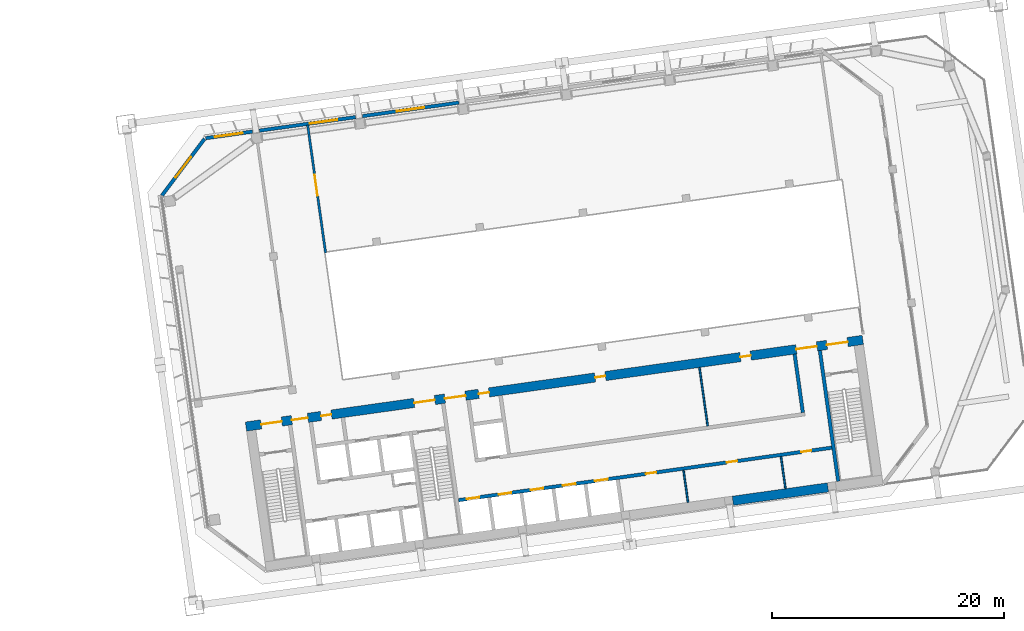
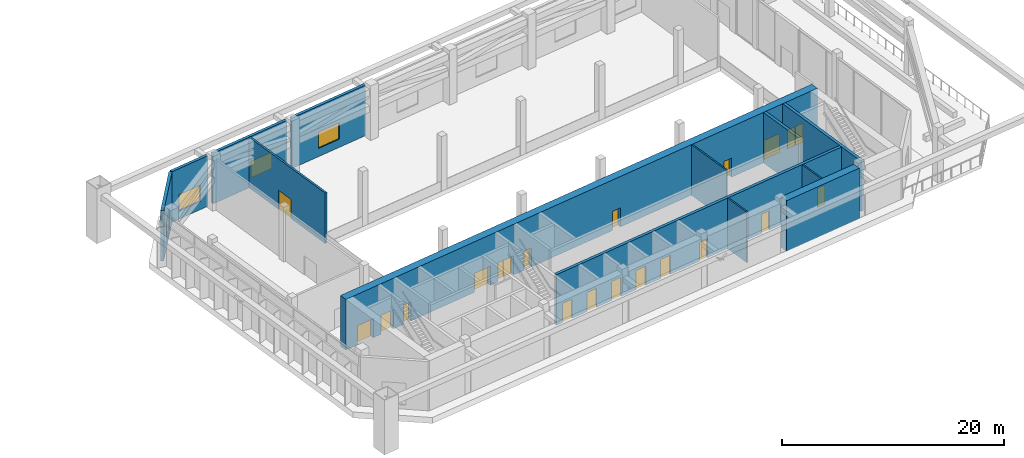
# One storey, part 24 of 41: 19 doors, 13 walls, 4 windows, 23 openings.
"""IFC4 building model written with IfcOpenShell, lengths in metres."""

from ifc_helpers import new_model, si_unit, direction, frame, frame_2d, origin, place, context, subcontext, project, spatial, rectangle, extrude, material, layer, layer_set, type_object, element, fill, save


model = new_model("IFC4")

# Units and contexts
model_context = context("Model", 3, precision=1e-05, world=origin(), true_north=direction((0.0, 1.0)))
body_context = subcontext(model_context, "Body", "Model", "MODEL_VIEW")
ifc_project = project(units=[si_unit("LENGTHUNIT", "METRE"), si_unit("AREAUNIT", "SQUARE_METRE"), si_unit("VOLUMEUNIT", "CUBIC_METRE"), si_unit("PLANEANGLEUNIT", "RADIAN"), si_unit("MASSUNIT", "GRAM", prefix="KILO")], contexts=[model_context])

# Site, building, storey
site_placement = place(None, origin())
site = spatial("IfcSite", under=ifc_project, at=site_placement, CompositionType="ELEMENT")
building_placement = place(site_placement, origin())
building = spatial("IfcBuilding", under=site, at=building_placement, Name="Mirante Cascada Hotel Towers", CompositionType="ELEMENT")
storey_placement = place(building_placement, frame((0.0, 0.0, 92.7)))
storey = spatial("IfcBuildingStorey", under=building, at=storey_placement, Name="L20", CompositionType="ELEMENT", Elevation=92.7)

# Walls
ifc_material_1 = material(Name="Masonry block", Category="masonry")
ifc_layer_1 = layer(ifc_material_1, 0.15)
ifc_layer_set_1 = layer_set([ifc_layer_1], Name="Core room partition 150 block EI 30")
wall_type_1 = type_object("IfcWallType", Name="Core room partition 150 block EI 30", PredefinedType="PARTITIONING", material=ifc_layer_set_1)
wall_1_placement = place(storey_placement, frame((73.6152, -14.1482, 0.0), z_axis=(0.0, 0.0, 1.0), x_axis=(-0.139176, 0.9902677, 0.0)))
element("IfcWall", 1, at=wall_1_placement, inside=storey, type_object=wall_type_1, Name="Core wall partition T2 L20 4", PredefinedType="PARTITIONING", context=body_context, shape_type="SweptSolid", body=[
    extrude(rectangle(XDim=2.8001, YDim=0.15, at=frame_2d((1.4, 0.0))), origin(), (0.0, 0.0, 1.0), 5.55),
])
wall_2_placement = place(storey_placement, frame((82.0324, -12.9652, 0.0), z_axis=(0.0, 0.0, 1.0), x_axis=(-0.139141, 0.9902726, 0.0)))
element("IfcWall", 2, at=wall_2_placement, inside=storey, type_object=wall_type_1, Name="Core wall partition T2 L20 5", PredefinedType="PARTITIONING", context=body_context, shape_type="SweptSolid", body=[
    extrude(rectangle(XDim=2.8, YDim=0.15, at=frame_2d((1.4, 0.0))), origin(), (0.0, 0.0, 1.0), 5.55),
])
wall_3_placement = place(storey_placement, frame((75.3131, -7.5476, 0.0), z_axis=(0.0, 0.0, 1.0), x_axis=(-0.1391782, 0.9902673, 0.0)))
element("IfcWall", 3, at=wall_3_placement, inside=storey, type_object=wall_type_1, Name="Core wall partition T2 L20 6", PredefinedType="PARTITIONING", context=body_context, shape_type="SweptSolid", body=[
    extrude(rectangle(XDim=5.0999, YDim=0.15, at=frame_2d((2.55, 0.0))), origin(), (0.0, 0.0, 1.0), 5.55),
])

# Wall, opening, window
ifc_material_2 = material(Name="Precast concrete C40/50", Category="concrete")
ifc_layer_2 = layer(ifc_material_2, 0.3)
ifc_layer_set_2 = layer_set([ifc_layer_2], Name="Precast concrete C40/50 cladding wall 300")
wall_type_2 = type_object("IfcWallType", Name="Precast concrete C40/50 cladding wall 300", PredefinedType="STANDARD", material=ifc_layer_set_2)
wall_4_placement = place(storey_placement, frame((31.9558, 17.3101, 0.0), z_axis=(0.0, 0.0, 1.0), x_axis=(0.9902659, 0.1391883, 0.0)))
wall_4 = element("IfcWall", 4, at=wall_4_placement, inside=storey, type_object=wall_type_2, Name="Cladding pier wall T2 L20 front 1", PredefinedType="STANDARD", context=body_context, shape_type="SweptSolid", body=[
    extrude(rectangle(XDim=4.0758, YDim=0.3, at=frame_2d((2.0379, 0.0))), origin(), (0.0, 0.0, 1.0), 5.55),
])
opening_1_placement = place(wall_4_placement, frame((0.8068, 0.0, 0.9)))
opening_1 = element("IfcOpeningElement", 5, at=opening_1_placement, cuts=wall_4, Name="Opening W2-20-01", PredefinedType="OPENING", context=body_context, shape_type="SweptSolid", body=[
    extrude(rectangle(XDim=2.4, YDim=1.8, at=frame_2d((1.2, 0.9))), frame((0.0, 0.15, 0.0), z_axis=(0.0, -1.0, 0.0), x_axis=(1.0, 0.0, 0.0)), (0.0, 0.0, 1.0), 0.3),
])
ifc_material_3 = material(Name="Aluminium frame with clear double glazing", Category="aluminium")
window_type_1 = type_object("IfcWindowType", Name="Punched window 2400x1800", PartitioningType="DOUBLE_PANEL_VERTICAL", PredefinedType="WINDOW", material=ifc_material_3)
window_1_placement = place(opening_1_placement, origin())
window_1 = element("IfcWindow", 6, at=window_1_placement, inside=storey, type_object=window_type_1, Name="Window W2-20-01", OverallHeight=1.8, OverallWidth=2.4, PartitioningType="SINGLE_PANEL", PredefinedType="WINDOW", context=body_context, shape_type="SweptSolid", body=[
    extrude(rectangle(XDim=2.4, YDim=1.8, at=frame_2d((1.2, 0.9))), frame((0.0, 0.03, 0.0), z_axis=(0.0, -1.0, 0.0), x_axis=(1.0, 0.0, 0.0)), (0.0, 0.0, 1.0), 0.06),
])
fill(opening_1, window_1)

wall_5_placement = place(storey_placement, frame((36.5861, 17.9609, 0.0), z_axis=(0.0, 0.0, 1.0), x_axis=(0.9902688, 0.1391676, 0.0)))
wall_5 = element("IfcWall", 7, at=wall_5_placement, inside=storey, type_object=wall_type_2, Name="Cladding pier wall T2 L20 front 2", PredefinedType="STANDARD", context=body_context, shape_type="SweptSolid", body=[
    extrude(rectangle(XDim=8.3999, YDim=0.3, at=frame_2d((4.2, 0.0))), origin(), (0.0, 0.0, 1.0), 5.55),
])
opening_2_placement = place(wall_5_placement, frame((4.4, 0.0, 0.9)))
opening_2 = element("IfcOpeningElement", 8, at=opening_2_placement, cuts=wall_5, Name="Opening W2-20-02", PredefinedType="OPENING", context=body_context, shape_type="SweptSolid", body=[
    extrude(rectangle(XDim=2.4, YDim=1.8, at=frame_2d((1.2, 0.9))), frame((0.0, 0.15, 0.0), z_axis=(0.0, -1.0, 0.0), x_axis=(1.0, 0.0, 0.0)), (0.0, 0.0, 1.0), 0.3),
])
window_2_placement = place(opening_2_placement, origin())
window_2 = element("IfcWindow", 9, at=window_2_placement, inside=storey, type_object=window_type_1, Name="Window W2-20-02", OverallHeight=1.8, OverallWidth=2.4, PartitioningType="SINGLE_PANEL", PredefinedType="WINDOW", context=body_context, shape_type="SweptSolid", body=[
    extrude(rectangle(XDim=2.4, YDim=1.8, at=frame_2d((1.2, 0.9))), frame((0.0, 0.03, 0.0), z_axis=(0.0, -1.0, 0.0), x_axis=(1.0, 0.0, 0.0)), (0.0, 0.0, 1.0), 0.06),
])
fill(opening_2, window_2)

wall_6_placement = place(storey_placement, frame((45.4985, 19.2134, 0.0), z_axis=(0.0, 0.0, 1.0), x_axis=(0.9902672, 0.1391793, 0.0)))
wall_6 = element("IfcWall", 10, at=wall_6_placement, inside=storey, type_object=wall_type_2, Name="Cladding pier wall T2 L20 front 3", PredefinedType="STANDARD", context=body_context, shape_type="SweptSolid", body=[
    extrude(rectangle(XDim=8.4, YDim=0.3, at=frame_2d((4.2, 0.0))), origin(), (0.0, 0.0, 1.0), 5.55),
])
opening_3_placement = place(wall_6_placement, frame((3.0, 0.0, 0.9)))
opening_3 = element("IfcOpeningElement", 11, at=opening_3_placement, cuts=wall_6, Name="Opening W2-20-03", PredefinedType="OPENING", context=body_context, shape_type="SweptSolid", body=[
    extrude(rectangle(XDim=2.4, YDim=1.8, at=frame_2d((1.2, 0.9))), frame((0.0, 0.15, 0.0), z_axis=(0.0, -1.0, 0.0), x_axis=(1.0, 0.0, 0.0)), (0.0, 0.0, 1.0), 0.3),
])
window_3_placement = place(opening_3_placement, origin())
window_3 = element("IfcWindow", 12, at=window_3_placement, inside=storey, type_object=window_type_1, Name="Window W2-20-03", OverallHeight=1.8, OverallWidth=2.4, PartitioningType="SINGLE_PANEL", PredefinedType="WINDOW", context=body_context, shape_type="SweptSolid", body=[
    extrude(rectangle(XDim=2.4, YDim=1.8, at=frame_2d((1.2, 0.9))), frame((0.0, 0.03, 0.0), z_axis=(0.0, -1.0, 0.0), x_axis=(1.0, 0.0, 0.0)), (0.0, 0.0, 1.0), 0.06),
])
fill(opening_3, window_3)

wall_7_placement = place(storey_placement, frame((31.8569, 17.2519, 0.0), z_axis=(0.0, 0.0, 1.0), x_axis=(-0.6018115, -0.7986381, 0.0)))
wall_7 = element("IfcWall", 13, at=wall_7_placement, inside=storey, type_object=wall_type_2, Name="Corner cladding wall T2 L20 front inner", PredefinedType="STANDARD", context=body_context, shape_type="SweptSolid", body=[
    extrude(rectangle(XDim=6.1155, YDim=0.3, at=frame_2d((3.0578, 0.0))), origin(), (0.0, 0.0, 1.0), 5.55),
])
opening_4_placement = place(wall_7_placement, frame((1.9577, 0.0, 0.6)))
opening_4 = element("IfcOpeningElement", 14, at=opening_4_placement, cuts=wall_7, Name="Opening W2-20-10", PredefinedType="OPENING", context=body_context, shape_type="SweptSolid", body=[
    extrude(rectangle(XDim=2.2, YDim=2.4, at=frame_2d((1.1, 1.2))), frame((0.0, 0.15, 0.0), z_axis=(0.0, -1.0, 0.0), x_axis=(1.0, 0.0, 0.0)), (0.0, 0.0, 1.0), 0.3),
])
ifc_material_4 = material(Name="Aluminium frame with clear double glazing", Category="aluminium")
window_type_2 = type_object("IfcWindowType", Name="Corner suite window 2200x2400", PartitioningType="DOUBLE_PANEL_VERTICAL", PredefinedType="WINDOW", material=ifc_material_4)
window_4_placement = place(opening_4_placement, origin())
window_4 = element("IfcWindow", 15, at=window_4_placement, inside=storey, type_object=window_type_2, Name="Window W2-20-10", OverallHeight=2.4, OverallWidth=2.2, PartitioningType="SINGLE_PANEL", PredefinedType="WINDOW", context=body_context, shape_type="SweptSolid", body=[
    extrude(rectangle(XDim=2.2, YDim=2.4, at=frame_2d((1.1, 1.2))), frame((0.0, 0.03, 0.0), z_axis=(0.0, -1.0, 0.0), x_axis=(1.0, 0.0, 0.0)), (0.0, 0.0, 1.0), 0.06),
])
fill(opening_4, window_4)

# Wall
ifc_material_5 = material(Name="Concrete C50/60", Category="concrete")
ifc_layer_3 = layer(ifc_material_5, 0.3)
ifc_layer_set_3 = layer_set([ifc_layer_3], Name="RC core wall 300 C50/60")
wall_type_3 = type_object("IfcWallType", Name="RC core wall 300 C50/60", PredefinedType="SHEAR", material=ifc_layer_set_3)
wall_8_placement = place(storey_placement, frame((86.5877, -12.325, 0.0), z_axis=(0.0, 0.0, 1.0), x_axis=(-0.1391749, 0.9902678, 0.0)))
element("IfcWall", 16, at=wall_8_placement, inside=storey, type_object=wall_type_3, Name="Core wall T2:L20:8", PredefinedType="SHEAR", context=body_context, shape_type="SweptSolid", body=[
    extrude(rectangle(XDim=11.4, YDim=0.3, at=frame_2d((5.7, 0.0))), origin(), (0.0, 0.0, 1.0), 5.55),
])

# Wall, openings, doors
wall_9_placement = place(storey_placement, frame((53.7953, -13.9547, 0.0), z_axis=(0.0, 0.0, 1.0), x_axis=(0.990268, 0.1391733, 0.0)))
wall_9 = element("IfcWall", 17, at=wall_9_placement, inside=storey, type_object=wall_type_3, Name="Core wall T2:L20:24", PredefinedType="SHEAR", context=body_context, shape_type="SweptSolid", body=[
    extrude(rectangle(XDim=32.5501, YDim=0.3, at=frame_2d((16.275, 0.0))), origin(), (0.0, 0.0, 1.0), 5.55),
])
opening_5_placement = place(wall_9_placement, frame((0.7, 0.0, 0.0)))
opening_5 = element("IfcOpeningElement", 18, at=opening_5_placement, cuts=wall_9, Name="Opening LD", PredefinedType="OPENING", context=body_context, shape_type="SweptSolid", body=[
    extrude(rectangle(XDim=1.1, YDim=2.1, at=frame_2d((0.55, 1.05))), frame((0.0, 0.15, 0.0), z_axis=(0.0, -1.0, 0.0), x_axis=(1.0, 0.0, 0.0)), (0.0, 0.0, 1.0), 0.3),
])
opening_6_placement = place(wall_9_placement, frame((3.5, 0.0, 0.0)))
opening_6 = element("IfcOpeningElement", 19, at=opening_6_placement, cuts=wall_9, Name="Opening LD", PredefinedType="OPENING", context=body_context, shape_type="SweptSolid", body=[
    extrude(rectangle(XDim=1.1, YDim=2.1, at=frame_2d((0.55, 1.05))), frame((0.0, 0.15, 0.0), z_axis=(0.0, -1.0, 0.0), x_axis=(1.0, 0.0, 0.0)), (0.0, 0.0, 1.0), 0.3),
])
opening_7_placement = place(wall_9_placement, frame((6.3, 0.0, 0.0)))
opening_7 = element("IfcOpeningElement", 20, at=opening_7_placement, cuts=wall_9, Name="Opening LD", PredefinedType="OPENING", context=body_context, shape_type="SweptSolid", body=[
    extrude(rectangle(XDim=1.1, YDim=2.1, at=frame_2d((0.55, 1.05))), frame((0.0, 0.15, 0.0), z_axis=(0.0, -1.0, 0.0), x_axis=(1.0, 0.0, 0.0)), (0.0, 0.0, 1.0), 0.3),
])
opening_8_placement = place(wall_9_placement, frame((9.1, 0.0, 0.0)))
opening_8 = element("IfcOpeningElement", 21, at=opening_8_placement, cuts=wall_9, Name="Opening LD", PredefinedType="OPENING", context=body_context, shape_type="SweptSolid", body=[
    extrude(rectangle(XDim=1.1, YDim=2.1, at=frame_2d((0.55, 1.05))), frame((0.0, 0.15, 0.0), z_axis=(0.0, -1.0, 0.0), x_axis=(1.0, 0.0, 0.0)), (0.0, 0.0, 1.0), 0.3),
])
opening_9_placement = place(wall_9_placement, frame((11.9, 0.0, 0.0)))
opening_9 = element("IfcOpeningElement", 22, at=opening_9_placement, cuts=wall_9, Name="Opening LD", PredefinedType="OPENING", context=body_context, shape_type="SweptSolid", body=[
    extrude(rectangle(XDim=1.1, YDim=2.1, at=frame_2d((0.55, 1.05))), frame((0.0, 0.15, 0.0), z_axis=(0.0, -1.0, 0.0), x_axis=(1.0, 0.0, 0.0)), (0.0, 0.0, 1.0), 0.3),
])
opening_10_placement = place(wall_9_placement, frame((16.35, 0.0, 0.0)))
opening_10 = element("IfcOpeningElement", 23, at=opening_10_placement, cuts=wall_9, Name="Opening D2-20-C25", PredefinedType="OPENING", context=body_context, shape_type="SweptSolid", body=[
    extrude(rectangle(XDim=0.9, YDim=2.1, at=frame_2d((0.45, 1.05))), frame((0.0, 0.15, 0.0), z_axis=(0.0, -1.0, 0.0), x_axis=(1.0, 0.0, 0.0)), (0.0, 0.0, 1.0), 0.3),
])
opening_11_placement = place(wall_9_placement, frame((23.4, 0.0, 0.0)))
opening_11 = element("IfcOpeningElement", 24, at=opening_11_placement, cuts=wall_9, Name="Opening D2-20-C26", PredefinedType="OPENING", context=body_context, shape_type="SweptSolid", body=[
    extrude(rectangle(XDim=0.9, YDim=2.1, at=frame_2d((0.45, 1.05))), frame((0.0, 0.15, 0.0), z_axis=(0.0, -1.0, 0.0), x_axis=(1.0, 0.0, 0.0)), (0.0, 0.0, 1.0), 0.3),
])
opening_12_placement = place(wall_9_placement, frame((29.875, 0.0, 0.0)))
opening_12 = element("IfcOpeningElement", 25, at=opening_12_placement, cuts=wall_9, Name="Opening D2-20-C27", PredefinedType="OPENING", context=body_context, shape_type="SweptSolid", body=[
    extrude(rectangle(XDim=0.9, YDim=2.1, at=frame_2d((0.45, 1.05))), frame((0.0, 0.15, 0.0), z_axis=(0.0, -1.0, 0.0), x_axis=(1.0, 0.0, 0.0)), (0.0, 0.0, 1.0), 0.3),
])
ifc_material_6 = material(Name="Hollow metal fire door leaf")
door_type_1 = type_object("IfcDoorType", Name="Fire door 900x2100 FD60", OperationType="NOTDEFINED", PredefinedType="DOOR", material=ifc_material_6)
door_1_placement = place(opening_10_placement, frame((0.9, 0.0, 0.0), z_axis=(0.0, 0.0, 1.0), x_axis=(-1.0, 0.0, 0.0)))
door_1 = element("IfcDoor", 26, at=door_1_placement, inside=storey, type_object=door_type_1, Name="Room door T2 L20 25", OperationType="SINGLE_SWING_RIGHT", OverallHeight=2.1, OverallWidth=0.9, PredefinedType="DOOR", context=body_context, shape_type="SweptSolid", body=[
    extrude(rectangle(XDim=0.9, YDim=2.1, at=frame_2d((0.45, 1.05))), frame((0.0, 0.025, 0.0), z_axis=(0.0, -1.0, 0.0), x_axis=(1.0, 0.0, 0.0)), (0.0, 0.0, 1.0), 0.05),
])
fill(opening_10, door_1)
door_2_placement = place(opening_11_placement, frame((0.9, 0.0, 0.0), z_axis=(0.0, 0.0, 1.0), x_axis=(-1.0, 0.0, 0.0)))
door_2 = element("IfcDoor", 27, at=door_2_placement, inside=storey, type_object=door_type_1, Name="Room door T2 L20 26", OperationType="SINGLE_SWING_RIGHT", OverallHeight=2.1, OverallWidth=0.9, PredefinedType="DOOR", context=body_context, shape_type="SweptSolid", body=[
    extrude(rectangle(XDim=0.9, YDim=2.1, at=frame_2d((0.45, 1.05))), frame((0.0, 0.025, 0.0), z_axis=(0.0, -1.0, 0.0), x_axis=(1.0, 0.0, 0.0)), (0.0, 0.0, 1.0), 0.05),
])
fill(opening_11, door_2)
door_3_placement = place(opening_12_placement, frame((0.9, 0.0, 0.0), z_axis=(0.0, 0.0, 1.0), x_axis=(-1.0, 0.0, 0.0)))
door_3 = element("IfcDoor", 28, at=door_3_placement, inside=storey, type_object=door_type_1, Name="Room door T2 L20 27", OperationType="SINGLE_SWING_RIGHT", OverallHeight=2.1, OverallWidth=0.9, PredefinedType="DOOR", context=body_context, shape_type="SweptSolid", body=[
    extrude(rectangle(XDim=0.9, YDim=2.1, at=frame_2d((0.45, 1.05))), frame((0.0, 0.025, 0.0), z_axis=(0.0, -1.0, 0.0), x_axis=(1.0, 0.0, 0.0)), (0.0, 0.0, 1.0), 0.05),
])
fill(opening_12, door_3)
ifc_material_7 = material(Name="Stainless steel", Category="steel")
door_type_2 = type_object("IfcDoorType", Name="Lift landing door 1100x2100 EI 120", OperationType="DOUBLE_DOOR_SLIDING", PredefinedType="DOOR", material=ifc_material_7)
door_4_placement = place(opening_5_placement, origin())
door_4 = element("IfcDoor", 29, at=door_4_placement, inside=storey, type_object=door_type_2, Name="Lift landing door LR2-1 L20", OperationType="DOUBLE_DOOR_SLIDING", OverallHeight=2.1, OverallWidth=1.1, PredefinedType="DOOR", context=body_context, shape_type="SweptSolid", body=[
    extrude(rectangle(XDim=0.545, YDim=2.1, at=frame_2d((0.2725, 1.05))), frame((0.0, 0.025, 0.0), z_axis=(0.0, -1.0, 0.0), x_axis=(1.0, 0.0, 0.0)), (0.0, 0.0, 1.0), 0.05),
    extrude(rectangle(XDim=0.545, YDim=2.1, at=frame_2d((0.8275, 1.05))), frame((0.0, 0.025, 0.0), z_axis=(0.0, -1.0, 0.0), x_axis=(1.0, 0.0, 0.0)), (0.0, 0.0, 1.0), 0.05),
])
fill(opening_5, door_4)
door_5_placement = place(opening_6_placement, origin())
door_5 = element("IfcDoor", 30, at=door_5_placement, inside=storey, type_object=door_type_2, Name="Lift landing door LR2-2 L20", OperationType="DOUBLE_DOOR_SLIDING", OverallHeight=2.1, OverallWidth=1.1, PredefinedType="DOOR", context=body_context, shape_type="SweptSolid", body=[
    extrude(rectangle(XDim=0.545, YDim=2.1, at=frame_2d((0.2725, 1.05))), frame((0.0, 0.025, 0.0), z_axis=(0.0, -1.0, 0.0), x_axis=(1.0, 0.0, 0.0)), (0.0, 0.0, 1.0), 0.05),
    extrude(rectangle(XDim=0.545, YDim=2.1, at=frame_2d((0.8275, 1.05))), frame((0.0, 0.025, 0.0), z_axis=(0.0, -1.0, 0.0), x_axis=(1.0, 0.0, 0.0)), (0.0, 0.0, 1.0), 0.05),
])
fill(opening_6, door_5)
door_6_placement = place(opening_7_placement, origin())
door_6 = element("IfcDoor", 31, at=door_6_placement, inside=storey, type_object=door_type_2, Name="Lift landing door SV2-1 L20", OperationType="DOUBLE_DOOR_SLIDING", OverallHeight=2.1, OverallWidth=1.1, PredefinedType="DOOR", context=body_context, shape_type="SweptSolid", body=[
    extrude(rectangle(XDim=0.545, YDim=2.1, at=frame_2d((0.2725, 1.05))), frame((0.0, 0.025, 0.0), z_axis=(0.0, -1.0, 0.0), x_axis=(1.0, 0.0, 0.0)), (0.0, 0.0, 1.0), 0.05),
    extrude(rectangle(XDim=0.545, YDim=2.1, at=frame_2d((0.8275, 1.05))), frame((0.0, 0.025, 0.0), z_axis=(0.0, -1.0, 0.0), x_axis=(1.0, 0.0, 0.0)), (0.0, 0.0, 1.0), 0.05),
])
fill(opening_7, door_6)
door_7_placement = place(opening_8_placement, origin())
door_7 = element("IfcDoor", 32, at=door_7_placement, inside=storey, type_object=door_type_2, Name="Lift landing door SV2-2 L20", OperationType="DOUBLE_DOOR_SLIDING", OverallHeight=2.1, OverallWidth=1.1, PredefinedType="DOOR", context=body_context, shape_type="SweptSolid", body=[
    extrude(rectangle(XDim=0.545, YDim=2.1, at=frame_2d((0.2725, 1.05))), frame((0.0, 0.025, 0.0), z_axis=(0.0, -1.0, 0.0), x_axis=(1.0, 0.0, 0.0)), (0.0, 0.0, 1.0), 0.05),
    extrude(rectangle(XDim=0.545, YDim=2.1, at=frame_2d((0.8275, 1.05))), frame((0.0, 0.025, 0.0), z_axis=(0.0, -1.0, 0.0), x_axis=(1.0, 0.0, 0.0)), (0.0, 0.0, 1.0), 0.05),
])
fill(opening_8, door_7)
door_8_placement = place(opening_9_placement, origin())
door_8 = element("IfcDoor", 33, at=door_8_placement, inside=storey, type_object=door_type_2, Name="Lift landing door SV2-3 L20", OperationType="DOUBLE_DOOR_SLIDING", OverallHeight=2.1, OverallWidth=1.1, PredefinedType="DOOR", context=body_context, shape_type="SweptSolid", body=[
    extrude(rectangle(XDim=0.545, YDim=2.1, at=frame_2d((0.2725, 1.05))), frame((0.0, 0.025, 0.0), z_axis=(0.0, -1.0, 0.0), x_axis=(1.0, 0.0, 0.0)), (0.0, 0.0, 1.0), 0.05),
    extrude(rectangle(XDim=0.545, YDim=2.1, at=frame_2d((0.8275, 1.05))), frame((0.0, 0.025, 0.0), z_axis=(0.0, -1.0, 0.0), x_axis=(1.0, 0.0, 0.0)), (0.0, 0.0, 1.0), 0.05),
])
fill(opening_9, door_8)

# Walls
wall_10_placement = place(storey_placement, frame((83.5323, -6.3925, 0.0), z_axis=(0.0, 0.0, 1.0), x_axis=(-0.1391755, 0.9902677, 0.0)))
element("IfcWall", 34, at=wall_10_placement, inside=storey, type_object=wall_type_3, Name="Core wall T2:L20:34", PredefinedType="SHEAR", context=body_context, shape_type="SweptSolid", body=[
    extrude(rectangle(XDim=5.1, YDim=0.3, at=frame_2d((2.55, 0.0))), origin(), (0.0, 0.0, 1.0), 5.55),
])
ifc_material_8 = material(Name="Concrete C50/60", Category="concrete")
ifc_layer_4 = layer(ifc_material_8, 0.8)
ifc_layer_set_4 = layer_set([ifc_layer_4], Name="RC core wall 800 C50/60")
wall_type_4 = type_object("IfcWallType", Name="RC core wall 800 C50/60", PredefinedType="SHEAR", material=ifc_layer_set_4)
wall_11_placement = place(storey_placement, frame((77.4834, -14.0085, 0.0), z_axis=(0.0, 0.0, 1.0), x_axis=(0.990267, 0.139181, 0.0)))
element("IfcWall", 35, at=wall_11_placement, inside=storey, type_object=wall_type_4, Name="Core wall T2:L20:1.6", PredefinedType="SHEAR", context=body_context, shape_type="SweptSolid", body=[
    extrude(rectangle(XDim=8.3, YDim=0.8, at=frame_2d((4.15, 0.0))), origin(), (0.0, 0.0, 1.0), 5.55),
])

# Wall, openings, doors
wall_12_placement = place(storey_placement, frame((35.432, -7.5985, 0.0), z_axis=(0.0, 0.0, 1.0), x_axis=(0.9902681, 0.1391729, 0.0)))
wall_12 = element("IfcWall", 36, at=wall_12_placement, inside=storey, type_object=wall_type_4, Name="Core wall T2:L20:2", PredefinedType="SHEAR", context=body_context, shape_type="SweptSolid", body=[
    extrude(rectangle(XDim=53.8, YDim=0.8, at=frame_2d((26.9, 0.0))), origin(), (0.0, 0.0, 1.0), 5.55),
])
opening_13_placement = place(wall_12_placement, frame((1.325, 0.0, 0.0)))
opening_13 = element("IfcOpeningElement", 37, at=opening_13_placement, cuts=wall_12, Name="Opening D2-20-C14", PredefinedType="OPENING", context=body_context, shape_type="SweptSolid", body=[
    extrude(rectangle(XDim=1.8, YDim=2.1, at=frame_2d((0.9, 1.05))), frame((0.0, 0.4, 0.0), z_axis=(0.0, -1.0, 0.0), x_axis=(1.0, 0.0, 0.0)), (0.0, 0.0, 1.0), 0.8),
])
opening_14_placement = place(wall_12_placement, frame((14.675, 0.0, 0.0)))
opening_14 = element("IfcOpeningElement", 38, at=opening_14_placement, cuts=wall_12, Name="Opening D2-20-C16", PredefinedType="OPENING", context=body_context, shape_type="SweptSolid", body=[
    extrude(rectangle(XDim=1.8, YDim=2.1, at=frame_2d((0.9, 1.05))), frame((0.0, 0.4, 0.0), z_axis=(0.0, -1.0, 0.0), x_axis=(1.0, 0.0, 0.0)), (0.0, 0.0, 1.0), 0.8),
])
opening_15_placement = place(wall_12_placement, frame((50.675, 0.0, 0.0)))
opening_15 = element("IfcOpeningElement", 39, at=opening_15_placement, cuts=wall_12, Name="Opening D2-20-C18", PredefinedType="OPENING", context=body_context, shape_type="SweptSolid", body=[
    extrude(rectangle(XDim=1.8, YDim=2.1, at=frame_2d((0.9, 1.05))), frame((0.0, 0.4, 0.0), z_axis=(0.0, -1.0, 0.0), x_axis=(1.0, 0.0, 0.0)), (0.0, 0.0, 1.0), 0.8),
])
opening_16_placement = place(wall_12_placement, frame((4.0, 0.0, 0.0)))
opening_16 = element("IfcOpeningElement", 40, at=opening_16_placement, cuts=wall_12, Name="Opening D2-20-C19", PredefinedType="OPENING", context=body_context, shape_type="SweptSolid", body=[
    extrude(rectangle(XDim=1.4, YDim=2.1, at=frame_2d((0.7, 1.05))), frame((0.0, 0.4, 0.0), z_axis=(0.0, -1.0, 0.0), x_axis=(1.0, 0.0, 0.0)), (0.0, 0.0, 1.0), 0.8),
])
opening_17_placement = place(wall_12_placement, frame((17.35, 0.0, 0.0)))
opening_17 = element("IfcOpeningElement", 41, at=opening_17_placement, cuts=wall_12, Name="Opening D2-20-C20", PredefinedType="OPENING", context=body_context, shape_type="SweptSolid", body=[
    extrude(rectangle(XDim=1.8, YDim=2.1, at=frame_2d((0.9, 1.05))), frame((0.0, 0.4, 0.0), z_axis=(0.0, -1.0, 0.0), x_axis=(1.0, 0.0, 0.0)), (0.0, 0.0, 1.0), 0.8),
])
opening_18_placement = place(wall_12_placement, frame((48.0, 0.0, 0.0)))
opening_18 = element("IfcOpeningElement", 42, at=opening_18_placement, cuts=wall_12, Name="Opening D2-20-C21", PredefinedType="OPENING", context=body_context, shape_type="SweptSolid", body=[
    extrude(rectangle(XDim=1.8, YDim=2.1, at=frame_2d((0.9, 1.05))), frame((0.0, 0.4, 0.0), z_axis=(0.0, -1.0, 0.0), x_axis=(1.0, 0.0, 0.0)), (0.0, 0.0, 1.0), 0.8),
])
opening_19_placement = place(wall_12_placement, frame((6.55, 0.0, 0.0)))
opening_19 = element("IfcOpeningElement", 43, at=opening_19_placement, cuts=wall_12, Name="Opening D2-20-C24", PredefinedType="OPENING", context=body_context, shape_type="SweptSolid", body=[
    extrude(rectangle(XDim=0.9, YDim=2.1, at=frame_2d((0.45, 1.05))), frame((0.0, 0.4, 0.0), z_axis=(0.0, -1.0, 0.0), x_axis=(1.0, 0.0, 0.0)), (0.0, 0.0, 1.0), 0.8),
])
opening_20_placement = place(wall_12_placement, frame((20.3, 0.0, 0.0)))
opening_20 = element("IfcOpeningElement", 44, at=opening_20_placement, cuts=wall_12, Name="Opening D2-20-C28", PredefinedType="OPENING", context=body_context, shape_type="SweptSolid", body=[
    extrude(rectangle(XDim=0.9, YDim=2.1, at=frame_2d((0.45, 1.05))), frame((0.0, 0.4, 0.0), z_axis=(0.0, -1.0, 0.0), x_axis=(1.0, 0.0, 0.0)), (0.0, 0.0, 1.0), 0.8),
])
opening_21_placement = place(wall_12_placement, frame((30.45, 0.0, 0.0)))
opening_21 = element("IfcOpeningElement", 45, at=opening_21_placement, cuts=wall_12, Name="Opening D2-20-C29", PredefinedType="OPENING", context=body_context, shape_type="SweptSolid", body=[
    extrude(rectangle(XDim=0.9, YDim=2.1, at=frame_2d((0.45, 1.05))), frame((0.0, 0.4, 0.0), z_axis=(0.0, -1.0, 0.0), x_axis=(1.0, 0.0, 0.0)), (0.0, 0.0, 1.0), 0.8),
])
opening_22_placement = place(wall_12_placement, frame((43.125, 0.0, 0.0)))
opening_22 = element("IfcOpeningElement", 46, at=opening_22_placement, cuts=wall_12, Name="Opening D2-20-C30", PredefinedType="OPENING", context=body_context, shape_type="SweptSolid", body=[
    extrude(rectangle(XDim=0.9, YDim=2.1, at=frame_2d((0.45, 1.05))), frame((0.0, 0.4, 0.0), z_axis=(0.0, -1.0, 0.0), x_axis=(1.0, 0.0, 0.0)), (0.0, 0.0, 1.0), 0.8),
])
ifc_material_9 = material(Name="Hollow metal fire door leaf")
door_type_3 = type_object("IfcDoorType", Name="Double fire door 1400x2100 FD60", OperationType="DOUBLE_DOOR_SINGLE_SWING", PredefinedType="DOOR", material=ifc_material_9)
door_9_placement = place(opening_16_placement, origin())
door_9 = element("IfcDoor", 47, at=door_9_placement, inside=storey, type_object=door_type_3, Name="Exit door to gallery T2 L20 19", OperationType="DOUBLE_DOOR_SINGLE_SWING", OverallHeight=2.1, OverallWidth=1.4, PredefinedType="DOOR", context=body_context, shape_type="SweptSolid", body=[
    extrude(rectangle(XDim=0.695, YDim=2.1, at=frame_2d((0.3475, 1.05))), frame((0.0, 0.025, 0.0), z_axis=(0.0, -1.0, 0.0), x_axis=(1.0, 0.0, 0.0)), (0.0, 0.0, 1.0), 0.05),
    extrude(rectangle(XDim=0.695, YDim=2.1, at=frame_2d((1.0525, 1.05))), frame((0.0, 0.025, 0.0), z_axis=(0.0, -1.0, 0.0), x_axis=(1.0, 0.0, 0.0)), (0.0, 0.0, 1.0), 0.05),
])
fill(opening_16, door_9)
ifc_material_10 = material(Name="Hollow metal fire door leaf")
door_type_4 = type_object("IfcDoorType", Name="Double fire door 1800x2100 FD60", OperationType="DOUBLE_DOOR_SINGLE_SWING", PredefinedType="DOOR", material=ifc_material_10)
door_10_placement = place(opening_13_placement, frame((1.8, 0.0, 0.0), z_axis=(0.0, 0.0, 1.0), x_axis=(-1.0, 0.0, 0.0)))
door_10 = element("IfcDoor", 48, at=door_10_placement, inside=storey, type_object=door_type_4, Name="Exit door to gallery T2 L20 14", OperationType="DOUBLE_DOOR_SINGLE_SWING", OverallHeight=2.1, OverallWidth=1.8, PredefinedType="DOOR", context=body_context, shape_type="SweptSolid", body=[
    extrude(rectangle(XDim=0.895, YDim=2.1, at=frame_2d((0.4475, 1.05))), frame((0.0, 0.025, 0.0), z_axis=(0.0, -1.0, 0.0), x_axis=(1.0, 0.0, 0.0)), (0.0, 0.0, 1.0), 0.05),
    extrude(rectangle(XDim=0.895, YDim=2.1, at=frame_2d((1.3525, 1.05))), frame((0.0, 0.025, 0.0), z_axis=(0.0, -1.0, 0.0), x_axis=(1.0, 0.0, 0.0)), (0.0, 0.0, 1.0), 0.05),
])
fill(opening_13, door_10)
door_11_placement = place(opening_14_placement, frame((1.8, 0.0, 0.0), z_axis=(0.0, 0.0, 1.0), x_axis=(-1.0, 0.0, 0.0)))
door_11 = element("IfcDoor", 49, at=door_11_placement, inside=storey, type_object=door_type_4, Name="Exit door to gallery T2 L20 16", OperationType="DOUBLE_DOOR_SINGLE_SWING", OverallHeight=2.1, OverallWidth=1.8, PredefinedType="DOOR", context=body_context, shape_type="SweptSolid", body=[
    extrude(rectangle(XDim=0.895, YDim=2.1, at=frame_2d((0.4475, 1.05))), frame((0.0, 0.025, 0.0), z_axis=(0.0, -1.0, 0.0), x_axis=(1.0, 0.0, 0.0)), (0.0, 0.0, 1.0), 0.05),
    extrude(rectangle(XDim=0.895, YDim=2.1, at=frame_2d((1.3525, 1.05))), frame((0.0, 0.025, 0.0), z_axis=(0.0, -1.0, 0.0), x_axis=(1.0, 0.0, 0.0)), (0.0, 0.0, 1.0), 0.05),
])
fill(opening_14, door_11)
door_12_placement = place(opening_15_placement, frame((1.8, 0.0, 0.0), z_axis=(0.0, 0.0, 1.0), x_axis=(-1.0, 0.0, 0.0)))
door_12 = element("IfcDoor", 50, at=door_12_placement, inside=storey, type_object=door_type_4, Name="Exit door to gallery T2 L20 18", OperationType="DOUBLE_DOOR_SINGLE_SWING", OverallHeight=2.1, OverallWidth=1.8, PredefinedType="DOOR", context=body_context, shape_type="SweptSolid", body=[
    extrude(rectangle(XDim=0.895, YDim=2.1, at=frame_2d((0.4475, 1.05))), frame((0.0, 0.025, 0.0), z_axis=(0.0, -1.0, 0.0), x_axis=(1.0, 0.0, 0.0)), (0.0, 0.0, 1.0), 0.05),
    extrude(rectangle(XDim=0.895, YDim=2.1, at=frame_2d((1.3525, 1.05))), frame((0.0, 0.025, 0.0), z_axis=(0.0, -1.0, 0.0), x_axis=(1.0, 0.0, 0.0)), (0.0, 0.0, 1.0), 0.05),
])
fill(opening_15, door_12)
door_13_placement = place(opening_17_placement, origin())
door_13 = element("IfcDoor", 51, at=door_13_placement, inside=storey, type_object=door_type_4, Name="Exit door to gallery T2 L20 20", OperationType="DOUBLE_DOOR_SINGLE_SWING", OverallHeight=2.1, OverallWidth=1.8, PredefinedType="DOOR", context=body_context, shape_type="SweptSolid", body=[
    extrude(rectangle(XDim=0.895, YDim=2.1, at=frame_2d((0.4475, 1.05))), frame((0.0, 0.025, 0.0), z_axis=(0.0, -1.0, 0.0), x_axis=(1.0, 0.0, 0.0)), (0.0, 0.0, 1.0), 0.05),
    extrude(rectangle(XDim=0.895, YDim=2.1, at=frame_2d((1.3525, 1.05))), frame((0.0, 0.025, 0.0), z_axis=(0.0, -1.0, 0.0), x_axis=(1.0, 0.0, 0.0)), (0.0, 0.0, 1.0), 0.05),
])
fill(opening_17, door_13)
door_14_placement = place(opening_18_placement, origin())
door_14 = element("IfcDoor", 52, at=door_14_placement, inside=storey, type_object=door_type_4, Name="Exit door to gallery T2 L20 21", OperationType="DOUBLE_DOOR_SINGLE_SWING", OverallHeight=2.1, OverallWidth=1.8, PredefinedType="DOOR", context=body_context, shape_type="SweptSolid", body=[
    extrude(rectangle(XDim=0.895, YDim=2.1, at=frame_2d((0.4475, 1.05))), frame((0.0, 0.025, 0.0), z_axis=(0.0, -1.0, 0.0), x_axis=(1.0, 0.0, 0.0)), (0.0, 0.0, 1.0), 0.05),
    extrude(rectangle(XDim=0.895, YDim=2.1, at=frame_2d((1.3525, 1.05))), frame((0.0, 0.025, 0.0), z_axis=(0.0, -1.0, 0.0), x_axis=(1.0, 0.0, 0.0)), (0.0, 0.0, 1.0), 0.05),
])
fill(opening_18, door_14)
door_15_placement = place(opening_19_placement, frame((0.9, 0.0, 0.0), z_axis=(0.0, 0.0, 1.0), x_axis=(-1.0, 0.0, 0.0)))
door_15 = element("IfcDoor", 53, at=door_15_placement, inside=storey, type_object=door_type_1, Name="Room door T2 L20 24", OperationType="SINGLE_SWING_LEFT", OverallHeight=2.1, OverallWidth=0.9, PredefinedType="DOOR", context=body_context, shape_type="SweptSolid", body=[
    extrude(rectangle(XDim=0.9, YDim=2.1, at=frame_2d((0.45, 1.05))), frame((0.0, 0.025, 0.0), z_axis=(0.0, -1.0, 0.0), x_axis=(1.0, 0.0, 0.0)), (0.0, 0.0, 1.0), 0.05),
])
fill(opening_19, door_15)
door_16_placement = place(opening_20_placement, frame((0.9, 0.0, 0.0), z_axis=(0.0, 0.0, 1.0), x_axis=(-1.0, 0.0, 0.0)))
door_16 = element("IfcDoor", 54, at=door_16_placement, inside=storey, type_object=door_type_1, Name="Room door T2 L20 28", OperationType="SINGLE_SWING_LEFT", OverallHeight=2.1, OverallWidth=0.9, PredefinedType="DOOR", context=body_context, shape_type="SweptSolid", body=[
    extrude(rectangle(XDim=0.9, YDim=2.1, at=frame_2d((0.45, 1.05))), frame((0.0, 0.025, 0.0), z_axis=(0.0, -1.0, 0.0), x_axis=(1.0, 0.0, 0.0)), (0.0, 0.0, 1.0), 0.05),
])
fill(opening_20, door_16)
door_17_placement = place(opening_21_placement, frame((0.9, 0.0, 0.0), z_axis=(0.0, 0.0, 1.0), x_axis=(-1.0, 0.0, 0.0)))
door_17 = element("IfcDoor", 55, at=door_17_placement, inside=storey, type_object=door_type_1, Name="Room door T2 L20 29", OperationType="SINGLE_SWING_RIGHT", OverallHeight=2.1, OverallWidth=0.9, PredefinedType="DOOR", context=body_context, shape_type="SweptSolid", body=[
    extrude(rectangle(XDim=0.9, YDim=2.1, at=frame_2d((0.45, 1.05))), frame((0.0, 0.025, 0.0), z_axis=(0.0, -1.0, 0.0), x_axis=(1.0, 0.0, 0.0)), (0.0, 0.0, 1.0), 0.05),
])
fill(opening_21, door_17)
door_18_placement = place(opening_22_placement, frame((0.9, 0.0, 0.0), z_axis=(0.0, 0.0, 1.0), x_axis=(-1.0, 0.0, 0.0)))
door_18 = element("IfcDoor", 56, at=door_18_placement, inside=storey, type_object=door_type_1, Name="Room door T2 L20 30", OperationType="SINGLE_SWING_RIGHT", OverallHeight=2.1, OverallWidth=0.9, PredefinedType="DOOR", context=body_context, shape_type="SweptSolid", body=[
    extrude(rectangle(XDim=0.9, YDim=2.1, at=frame_2d((0.45, 1.05))), frame((0.0, 0.025, 0.0), z_axis=(0.0, -1.0, 0.0), x_axis=(1.0, 0.0, 0.0)), (0.0, 0.0, 1.0), 0.05),
])
fill(opening_22, door_18)

# Wall, opening, door
ifc_material_11 = material(Name="Masonry block", Category="masonry")
ifc_layer_5 = layer(ifc_material_11, 0.2)
ifc_layer_set_5 = layer_set([ifc_layer_5], Name="Refuge and plant wall 200 block EI 120")
wall_type_5 = type_object("IfcWallType", Name="Refuge and plant wall 200 block EI 120", PredefinedType="PARTITIONING", material=ifc_layer_set_5)
wall_13_placement = place(storey_placement, frame((42.3109, 7.4049, 0.0), z_axis=(0.0, 0.0, 1.0), x_axis=(-0.1391747, 0.9902678, 0.0)))
wall_13 = element("IfcWall", 57, at=wall_13_placement, inside=storey, type_object=wall_type_5, Name="Refuge floor wall T2 L20 S3", PredefinedType="PARTITIONING", context=body_context, shape_type="SweptSolid", body=[
    extrude(rectangle(XDim=11.15, YDim=0.2, at=frame_2d((5.575, 0.0))), origin(), (0.0, 0.0, 1.0), 5.55),
])
opening_23_placement = place(wall_13_placement, frame((5.0, 0.0, 0.0)))
opening_23 = element("IfcOpeningElement", 58, at=opening_23_placement, cuts=wall_13, Name="Opening D2-20-S03", PredefinedType="OPENING", context=body_context, shape_type="SweptSolid", body=[
    extrude(rectangle(XDim=1.8, YDim=2.1, at=frame_2d((0.9, 1.05))), frame((0.0, 0.1, 0.0), z_axis=(0.0, -1.0, 0.0), x_axis=(1.0, 0.0, 0.0)), (0.0, 0.0, 1.0), 0.2),
])
ifc_material_12 = material(Name="Hollow metal fire door leaf")
door_type_5 = type_object("IfcDoorType", Name="Refuge and plant double door 1800x2100 FD60", OperationType="DOUBLE_DOOR_SINGLE_SWING", PredefinedType="DOOR", material=ifc_material_12)
door_19_placement = place(opening_23_placement, frame((1.8, 0.0, 0.0), z_axis=(0.0, 0.0, 1.0), x_axis=(-1.0, 0.0, 0.0)))
door_19 = element("IfcDoor", 59, at=door_19_placement, inside=storey, type_object=door_type_5, Name="Fire door T2 L20 s3", OperationType="DOUBLE_DOOR_SINGLE_SWING", OverallHeight=2.1, OverallWidth=1.8, PredefinedType="DOOR", context=body_context, shape_type="SweptSolid", body=[
    extrude(rectangle(XDim=0.895, YDim=2.1, at=frame_2d((0.4475, 1.05))), frame((0.0, 0.025, 0.0), z_axis=(0.0, -1.0, 0.0), x_axis=(1.0, 0.0, 0.0)), (0.0, 0.0, 1.0), 0.05),
    extrude(rectangle(XDim=0.895, YDim=2.1, at=frame_2d((1.3525, 1.05))), frame((0.0, 0.025, 0.0), z_axis=(0.0, -1.0, 0.0), x_axis=(1.0, 0.0, 0.0)), (0.0, 0.0, 1.0), 0.05),
])
fill(opening_23, door_19)

save(model, "model.ifc")
